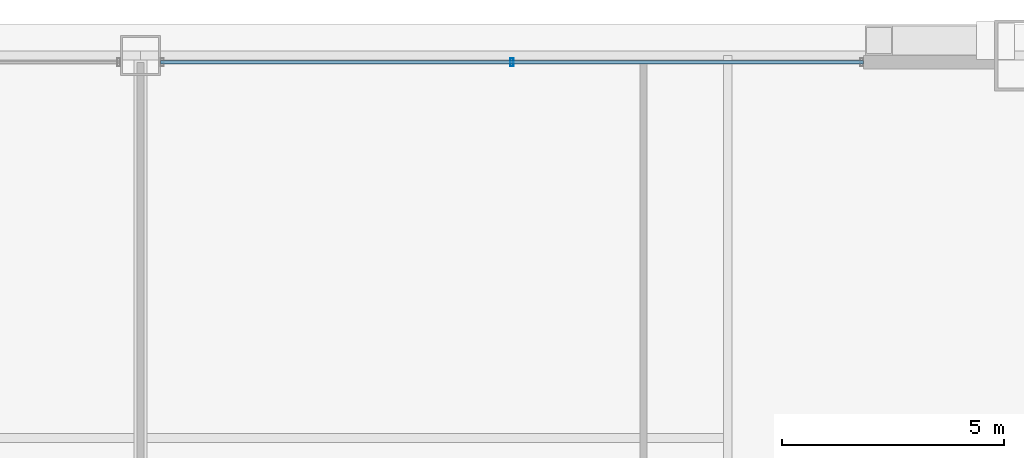
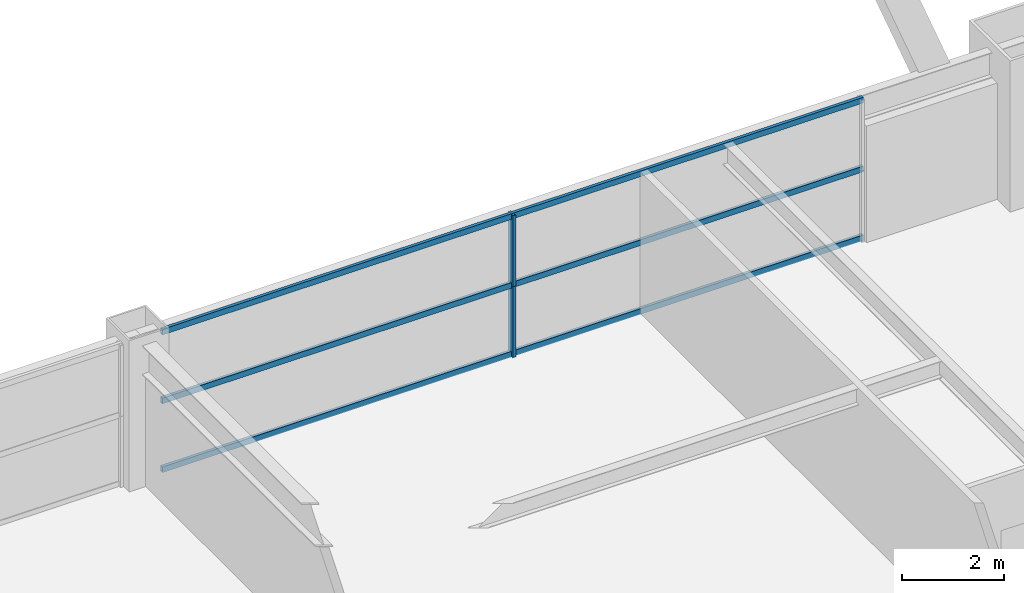
# One storey, part 35 of 43: 5 members, 1 element without a shape of its own.
"""IFC4 building model written with IfcOpenShell, lengths in metres."""

from ifc_helpers import new_model, si_unit, direction, frame, origin, origin_2d, place, context, subcontext, project, spatial, hollow_rectangle, extrude, source, transform, mapped, material, layer, layer_set, material_profile, profile_set, type_object, element, aggregate, save


model = new_model("IFC4")

# Units and contexts
model_context = context("Model", 3, precision=1e-05, world=origin(), true_north=direction((0.0, 1.0)))
body_context = subcontext(model_context, "Body", "Model", "MODEL_VIEW")
ifc_project = project(units=[si_unit("LENGTHUNIT", "METRE"), si_unit("AREAUNIT", "SQUARE_METRE"), si_unit("VOLUMEUNIT", "CUBIC_METRE"), si_unit("PLANEANGLEUNIT", "RADIAN"), si_unit("MASSUNIT", "GRAM", prefix="KILO"), si_unit("THERMODYNAMICTEMPERATUREUNIT", "KELVIN"), si_unit("POWERUNIT", "WATT")], contexts=[model_context])

# Site, building, storey
site_placement = place(None, origin())
site = spatial("IfcSite", under=ifc_project, at=site_placement, CompositionType="ELEMENT")
building_placement = place(site_placement, origin())
building = spatial("IfcBuilding", under=site, at=building_placement, Name="Yuzanri Waterfront Tower", CompositionType="ELEMENT")
storey_placement = place(building_placement, frame((0.0, 0.0, 101.0)))
storey = spatial("IfcBuildingStorey", under=building, at=storey_placement, Name="L26", CompositionType="ELEMENT", Elevation=101.0)

# Curtain wall, members
ifc_material_1 = material(Name="Anodized Architectural Bronze", Category="metal")
ifc_layer = layer(ifc_material_1, 0.159912109375)
ifc_layer_set = layer_set([ifc_layer], Name="Anodized Architectural Bronze")
curtain_wall_type = type_object("IfcCurtainWallType", Name="Anodized Bronze Hotel Upper-Tier Solar-Control Unitized Curtain Wall 7800", PredefinedType="NOTDEFINED", material=ifc_layer_set)
curtain_wall_placement = place(storey_placement, origin())
curtain_wall = element("IfcCurtainWall", 1, at=curtain_wall_placement, inside=storey, type_object=curtain_wall_type, Name="L26 Curtain Wall CW-L26-NR", PredefinedType="NOTDEFINED")
ifc_material_2 = material(Name="Anodized Architectural Bronze", Category="metal")
ifc_material_profile_1 = material_profile(ifc_material_2, hollow_rectangle(XDim=0.070068359375, YDim=0.179931640625, WallThickness=0.00390625, at=origin_2d()), Name="CWM 70x180")
ifc_profile_set_1 = profile_set([ifc_material_profile_1], Name="Anodized Architectural Bronze")
member_type_1 = type_object("IfcMemberType", Name="Anodized Bronze Standard Curtain-Wall Mullion 70x180", PredefinedType="MULLION", material=ifc_profile_set_1)
shared_shape_1 = source(origin(), body_context, "Body", "SweptSolid", [
    extrude(hollow_rectangle(XDim=0.070068359375, YDim=0.179931640625, WallThickness=0.00390625, at=origin_2d()), origin(), (0.0, 0.0, 1.0), 1.68798828125),
])
member_1_placement = place(storey_placement, frame((45.35009765625, 49.25, 0.0), z_axis=(0.0, 0.0, 1.0), x_axis=(1.0, 0.0, 0.0)))
member_1 = element("IfcMember", 2, at=member_1_placement, type_object=member_type_1, Name="CW-L26-NR Lower Mullion 01", PredefinedType="MULLION", context=body_context, shape_type="MappedRepresentation", body=[
    mapped(shared_shape_1, transform((0.0, 0.0, 0.0), scale=1.0)),
])
member_2_placement = place(storey_placement, frame((45.35009765625, 49.25, 1.69189453125), z_axis=(0.0, 0.0, 1.0), x_axis=(1.0, 0.0, 0.0)))
member_2 = element("IfcMember", 3, at=member_2_placement, type_object=member_type_1, Name="CW-L26-NR Upper Mullion 01", PredefinedType="MULLION", context=body_context, shape_type="MappedRepresentation", body=[
    mapped(shared_shape_1, transform((0.0, 0.0, 0.0), scale=1.0)),
])
ifc_material_3 = material(Name="Anodized Architectural Bronze", Category="metal")
ifc_material_profile_2 = material_profile(ifc_material_3, hollow_rectangle(XDim=0.070068359375, YDim=0.135009765625, WallThickness=0.00341796875, at=origin_2d()), Name="CWT 70x135")
ifc_profile_set_2 = profile_set([ifc_material_profile_2], Name="Anodized Architectural Bronze")
member_type_2 = type_object("IfcMemberType", Name="Anodized Bronze Standard Curtain-Wall Transom 70x135", PredefinedType="USERDEFINED", material=ifc_profile_set_2)
shared_shape_2 = source(origin(), body_context, "Body", "SweptSolid", [
    extrude(hollow_rectangle(XDim=0.070068359375, YDim=0.135009765625, WallThickness=0.00341796875, at=origin_2d()), origin(), (0.0, 0.0, 1.0), 15.800048828125),
])
member_3_placement = place(storey_placement, frame((37.449951171875, 49.25, 0.050048828125), z_axis=(1.0, 0.0, 0.0), x_axis=(0.0, 1.0, 0.0)))
member_3 = element("IfcMember", 4, at=member_3_placement, type_object=member_type_2, Name="CW-L26-NR Transom 1", ObjectType="TRANSOM", PredefinedType="USERDEFINED", context=body_context, shape_type="MappedRepresentation", body=[
    mapped(shared_shape_2, transform((0.0, 0.0, 0.0), scale=1.0)),
])
member_4_placement = place(storey_placement, frame((37.449951171875, 49.25, 1.68994140625), z_axis=(1.0, 0.0, 0.0), x_axis=(0.0, 1.0, 0.0)))
member_4 = element("IfcMember", 5, at=member_4_placement, type_object=member_type_2, Name="CW-L26-NR Transom 2", ObjectType="TRANSOM", PredefinedType="USERDEFINED", context=body_context, shape_type="MappedRepresentation", body=[
    mapped(shared_shape_2, transform((0.0, 0.0, 0.0), scale=1.0)),
])
member_5_placement = place(storey_placement, frame((37.449951171875, 49.25, 3.330078125), z_axis=(1.0, 0.0, 0.0), x_axis=(0.0, 1.0, 0.0)))
member_5 = element("IfcMember", 6, at=member_5_placement, type_object=member_type_2, Name="CW-L26-NR Transom 3", ObjectType="TRANSOM", PredefinedType="USERDEFINED", context=body_context, shape_type="MappedRepresentation", body=[
    mapped(shared_shape_2, transform((0.0, 0.0, 0.0), scale=1.0)),
])
aggregate(curtain_wall, [member_1, member_2, member_3, member_4, member_5])

save(model, "model.ifc")
